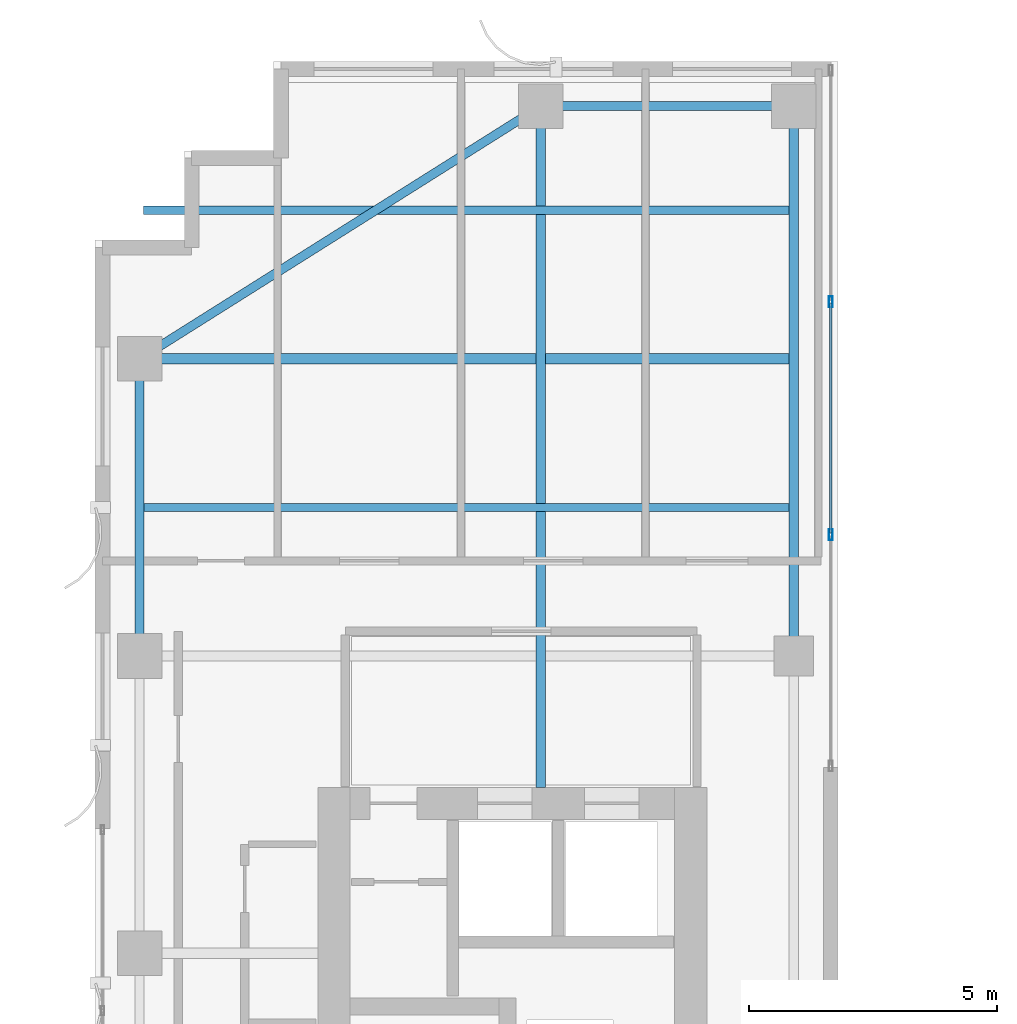
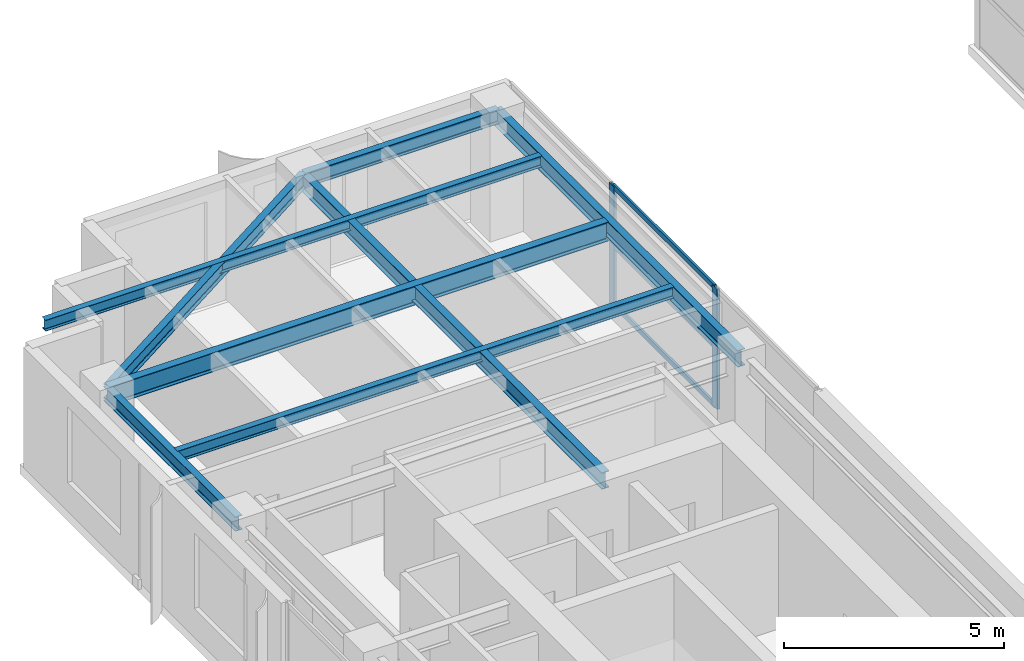
# One storey, part 13 of 22: 8 beams, 5 members, 1 element without a shape of its own.
"""IFC4 building model written with IfcOpenShell, lengths in metres."""

from ifc_helpers import new_model, si_unit, direction, frame, origin, origin_2d, place, context, subcontext, project, spatial, hollow_rectangle, i_section, extrude, source, transform, mapped, material, layer, layer_set, material_profile, profile_set, type_object, element, aggregate, save


model = new_model("IFC4")

# Units and contexts
model_context = context("Model", 3, precision=1e-05, world=origin(), true_north=direction((0.0, 1.0)))
body_context = subcontext(model_context, "Body", "Model", "MODEL_VIEW")
ifc_project = project(units=[si_unit("LENGTHUNIT", "METRE"), si_unit("AREAUNIT", "SQUARE_METRE"), si_unit("VOLUMEUNIT", "CUBIC_METRE"), si_unit("PLANEANGLEUNIT", "RADIAN"), si_unit("MASSUNIT", "GRAM", prefix="KILO")], contexts=[model_context])

# Site, building, storey
site_placement = place(None, origin())
site = spatial("IfcSite", under=ifc_project, at=site_placement, CompositionType="ELEMENT")
building_placement = place(site_placement, origin())
building = spatial("IfcBuilding", under=site, at=building_placement, Name="Khoralis Quay Care Tower", CompositionType="ELEMENT")
storey_placement = place(building_placement, frame((0.0, 0.0, 195.300048828125)))
storey = spatial("IfcBuildingStorey", under=building, at=storey_placement, Name="L51", CompositionType="ELEMENT", Elevation=195.300048828125)

# Beams
ifc_material_1 = material(Name="Steel S355", Category="steel")
ifc_material_profile_1 = material_profile(ifc_material_1, i_section(OverallWidth=0.179931640625, OverallDepth=0.39990234375, WebThickness=0.008544921875, FlangeThickness=0.013427734375, FilletRadius=0.02099609375, at=origin_2d()), Name="Steel S355")
ifc_profile_set_1 = profile_set([ifc_material_profile_1], Name="Steel S355")
beam_type_1 = type_object("IfcBeamType", Name="BM-IPE400", PredefinedType="SPANDREL", material=ifc_profile_set_1)
shared_shape_1 = source(origin(), body_context, "Body", "SweptSolid", [
    extrude(i_section(OverallWidth=0.179931640625, OverallDepth=0.39990234375, WebThickness=0.008544921875, FlangeThickness=0.013427734375, FilletRadius=0.02099609375, at=origin_2d()), origin(), (0.0, 0.0, 1.0), 6.0),
])
beam_1_placement = place(storey_placement, frame((3.89990234375, 30.0, 3.139892578125), z_axis=(0.0, 1.0, 0.0), x_axis=(-1.0, 0.0, 0.0)))
element("IfcBeam", 1, at=beam_1_placement, inside=storey, type_object=beam_type_1, Name="BM-TSP-L51-09", PredefinedType="SPANDREL", context=body_context, shape_type="MappedRepresentation", body=[
    mapped(shared_shape_1, transform((0.0, 0.0, 0.0), scale=1.0)),
])
shared_shape_2 = source(origin(), body_context, "Body", "SweptSolid", [
    extrude(i_section(OverallWidth=0.179931640625, OverallDepth=0.39990234375, WebThickness=0.008544921875, FlangeThickness=0.013427734375, FilletRadius=0.02099609375, at=origin_2d()), origin(), (0.0, 0.0, 1.0), 5.10009765625),
])
beam_2_placement = place(storey_placement, frame((12.0, 41.10009765625, 3.139892578125), z_axis=(1.0, 0.0, 0.0), x_axis=(0.0, 1.0, 0.0)))
element("IfcBeam", 2, at=beam_2_placement, inside=storey, type_object=beam_type_1, Name="BM-TSP-L51-03", PredefinedType="SPANDREL", context=body_context, shape_type="MappedRepresentation", body=[
    mapped(shared_shape_2, transform((0.0, 0.0, 0.0), scale=1.0)),
])
shared_shape_3 = source(origin(), body_context, "Body", "SweptSolid", [
    extrude(i_section(OverallWidth=0.179931640625, OverallDepth=0.39990234375, WebThickness=0.008544921875, FlangeThickness=0.013427734375, FilletRadius=0.02099609375, at=origin_2d()), origin(), (0.0, 0.0, 1.0), 9.572021484375),
])
beam_3_placement = place(storey_placement, frame((12.0, 41.10009765625, 3.139892578125), z_axis=(-0.846231136359, -0.532815975602, 0.0), x_axis=(0.532815975602, -0.846231136359, 0.0)))
element("IfcBeam", 3, at=beam_3_placement, inside=storey, type_object=beam_type_1, Name="BM-TCR-L51-17", PredefinedType="SPANDREL", context=body_context, shape_type="MappedRepresentation", body=[
    mapped(shared_shape_3, transform((0.0, 0.0, 0.0), scale=1.0)),
])
ifc_material_profile_2 = material_profile(ifc_material_1, i_section(OverallWidth=0.208984375, OverallDepth=0.532958984375, WebThickness=0.01025390625, FlangeThickness=0.015625, FilletRadius=0.01611328125, at=origin_2d()), Name="Steel S355")
ifc_profile_set_2 = profile_set([ifc_material_profile_2], Name="Steel S355")
beam_type_2 = type_object("IfcBeamType", Name="BM-W530X92", PredefinedType="BEAM", material=ifc_profile_set_2)
shared_shape_4 = source(origin(), body_context, "Body", "SweptSolid", [
    extrude(i_section(OverallWidth=0.208984375, OverallDepth=0.532958984375, WebThickness=0.01025390625, FlangeThickness=0.015625, FilletRadius=0.01611328125, at=origin_2d()), origin(), (0.0, 0.0, 1.0), 13.1162109375),
])
beam_4_placement = place(storey_placement, frame((3.89990234375, 36.0, 3.073486328125), z_axis=(1.0, 0.0, 0.0), x_axis=(0.0, 1.0, 0.0)))
element("IfcBeam", 4, at=beam_4_placement, inside=storey, type_object=beam_type_2, Name="BM-TGXW-L51-360", PredefinedType="BEAM", context=body_context, shape_type="MappedRepresentation", body=[
    mapped(shared_shape_4, transform((0.0, 0.0, 0.0), scale=1.0)),
])
ifc_material_profile_3 = material_profile(ifc_material_1, i_section(OverallWidth=0.19189453125, OverallDepth=0.462890625, WebThickness=0.010498046875, FlangeThickness=0.017578125, FilletRadius=0.014892578125, at=origin_2d()), Name="Steel S355")
ifc_profile_set_3 = profile_set([ifc_material_profile_3], Name="Steel S355")
beam_type_3 = type_object("IfcBeamType", Name="BM-W460X89", PredefinedType="BEAM", material=ifc_profile_set_3)
shared_shape_5 = source(origin(), body_context, "Body", "SweptSolid", [
    extrude(i_section(OverallWidth=0.19189453125, OverallDepth=0.462890625, WebThickness=0.010498046875, FlangeThickness=0.017578125, FilletRadius=0.014892578125, at=origin_2d()), origin(), (0.0, 0.0, 1.0), 11.10009765625),
])
beam_5_placement = place(storey_placement, frame((17.10009765625, 30.0, 3.1083984375), z_axis=(0.0, 1.0, 0.0), x_axis=(-1.0, 0.0, 0.0)))
element("IfcBeam", 5, at=beam_5_placement, inside=storey, type_object=beam_type_3, Name="BM-TGYN-L51-171", PredefinedType="BEAM", context=body_context, shape_type="MappedRepresentation", body=[
    mapped(shared_shape_5, transform((0.0, 0.0, 0.0), scale=1.0)),
])
shared_shape_6 = source(origin(), body_context, "Body", "SweptSolid", [
    extrude(i_section(OverallWidth=0.19189453125, OverallDepth=0.462890625, WebThickness=0.010498046875, FlangeThickness=0.017578125, FilletRadius=0.014892578125, at=origin_2d()), origin(), (0.0, 0.0, 1.0), 13.752197265625),
])
beam_6_placement = place(storey_placement, frame((12.0, 27.347900390625, 3.1083984375), z_axis=(0.0, 1.0, 0.0), x_axis=(-1.0, 0.0, 0.0)))
element("IfcBeam", 6, at=beam_6_placement, inside=storey, type_object=beam_type_3, Name="BM-TGYN-L51-120", PredefinedType="BEAM", context=body_context, shape_type="MappedRepresentation", body=[
    mapped(shared_shape_6, transform((0.0, 0.0, 0.0), scale=1.0)),
])
ifc_material_profile_4 = material_profile(ifc_material_1, i_section(OverallWidth=0.1650390625, OverallDepth=0.31005859375, WebThickness=0.005859375, FlangeThickness=0.009765625, FilletRadius=0.011962890625, at=origin_2d()), Name="Steel S355")
ifc_profile_set_4 = profile_set([ifc_material_profile_4], Name="Steel S355")
beam_type_4 = type_object("IfcBeamType", Name="BM-W310X39", PredefinedType="JOIST", material=ifc_profile_set_4)
shared_shape_7 = source(origin(), body_context, "Body", "SweptSolid", [
    extrude(i_section(OverallWidth=0.1650390625, OverallDepth=0.31005859375, WebThickness=0.005859375, FlangeThickness=0.009765625, FilletRadius=0.011962890625, at=origin_2d()), origin(), (0.0, 0.0, 1.0), 13.0400390625),
])
for number, where, z_axis, x_axis, name in (
    (7, (3.97607421875, 33.0, 3.18505859375), (1.0, 0.0, 0.0), (0.0, 1.0, 0.0), "BM-TJS-L51-21"),
    (8, (3.97607421875, 39.0, 3.18505859375), (1.0, 0.0, 0.0), (0.0, 1.0, 0.0), "BM-TJS-L51-23"),
):
    element("IfcBeam", number, at=place(storey_placement, frame(where, z_axis=z_axis, x_axis=x_axis)), inside=storey, type_object=beam_type_4, Name=name, PredefinedType="JOIST", context=body_context, shape_type="MappedRepresentation", body=[
        mapped(shared_shape_7, transform((0.0, 0.0, 0.0), scale=1.0)),
    ])

# Curtain wall, members
ifc_material_2 = material(Name="Pale anodised aluminium", Category="aluminium")
ifc_layer = layer(ifc_material_2, 0.18994140625)
ifc_layer_set = layer_set([ifc_layer], Name="Pale anodised aluminium")
curtain_wall_type = type_object("IfcCurtainWallType", Name="CW-SYS-PORTAL", PredefinedType="NOTDEFINED", material=ifc_layer_set)
curtain_wall_placement = place(storey_placement, origin())
curtain_wall = element("IfcCurtainWall", 9, at=curtain_wall_placement, inside=storey, type_object=curtain_wall_type, Name="L51 Unitised Curtain Wall CW-VP-L51-P1-N", PredefinedType="NOTDEFINED")
ifc_material_profile_5 = material_profile(ifc_material_2, hollow_rectangle(XDim=0.06005859375, YDim=0.139892578125, WallThickness=0.00390625, at=origin_2d()), Name="Pale anodised aluminium")
ifc_profile_set_5 = profile_set([ifc_material_profile_5], Name="Pale anodised aluminium")
member_type_1 = type_object("IfcMemberType", Name="CW-TRN-140", PredefinedType="USERDEFINED", material=ifc_profile_set_5)
shared_shape_8 = source(origin(), body_context, "Body", "SweptSolid", [
    extrude(hollow_rectangle(XDim=0.06005859375, YDim=0.139892578125, WallThickness=0.00390625, at=origin_2d()), origin(), (0.0, 0.0, 1.0), 4.64013671875),
])
member_1_placement = place(storey_placement, frame((17.85009765625, 32.47998046875, 0.030029296875), z_axis=(0.0, 1.0, 0.0), x_axis=(-1.0, 0.0, 0.0)))
member_1 = element("IfcMember", 10, at=member_1_placement, type_object=member_type_1, Name="CW4 transom 2.1", ObjectType="TRANSOM", PredefinedType="USERDEFINED", context=body_context, shape_type="MappedRepresentation", body=[
    mapped(shared_shape_8, transform((0.0, 0.0, 0.0), scale=1.0)),
])
member_2_placement = place(storey_placement, frame((17.85009765625, 32.47998046875, 1.669921875), z_axis=(0.0, 1.0, 0.0), x_axis=(-1.0, 0.0, 0.0)))
member_2 = element("IfcMember", 11, at=member_2_placement, type_object=member_type_1, Name="CW4 transom 2.2", ObjectType="TRANSOM", PredefinedType="USERDEFINED", context=body_context, shape_type="MappedRepresentation", body=[
    mapped(shared_shape_8, transform((0.0, 0.0, 0.0), scale=1.0)),
])
member_3_placement = place(storey_placement, frame((17.85009765625, 32.47998046875, 3.31005859375), z_axis=(0.0, 1.0, 0.0), x_axis=(-1.0, 0.0, 0.0)))
member_3 = element("IfcMember", 12, at=member_3_placement, type_object=member_type_1, Name="CW4 transom 2.3", ObjectType="TRANSOM", PredefinedType="USERDEFINED", context=body_context, shape_type="MappedRepresentation", body=[
    mapped(shared_shape_8, transform((0.0, 0.0, 0.0), scale=1.0)),
])
ifc_material_profile_6 = material_profile(ifc_material_2, hollow_rectangle(XDim=0.074951171875, YDim=0.219970703125, WallThickness=0.00390625, at=origin_2d()), Name="Pale anodised aluminium")
ifc_profile_set_6 = profile_set([ifc_material_profile_6], Name="Pale anodised aluminium")
member_type_2 = type_object("IfcMemberType", Name="CW-MUL-220", PredefinedType="MULLION", material=ifc_profile_set_6)
shared_shape_9 = source(origin(), body_context, "Body", "SweptSolid", [
    extrude(hollow_rectangle(XDim=0.074951171875, YDim=0.219970703125, WallThickness=0.00390625, at=origin_2d()), origin(), (0.0, 0.0, 1.0), 3.33984375),
])
member_4_placement = place(storey_placement, frame((17.85009765625, 32.449951171875, 0.0), z_axis=(0.0, 0.0, 1.0), x_axis=(-1.0, 0.0, 0.0)))
member_4 = element("IfcMember", 13, at=member_4_placement, type_object=member_type_2, Name="CW4 mullion 2", PredefinedType="MULLION", context=body_context, shape_type="MappedRepresentation", body=[
    mapped(shared_shape_9, transform((0.0, 0.0, 0.0), scale=1.0)),
])
member_5_placement = place(storey_placement, frame((17.85009765625, 37.14990234375, 0.0), z_axis=(0.0, 0.0, 1.0), x_axis=(-1.0, 0.0, 0.0)))
member_5 = element("IfcMember", 14, at=member_5_placement, type_object=member_type_2, Name="CW4 mullion 3", PredefinedType="MULLION", context=body_context, shape_type="MappedRepresentation", body=[
    mapped(shared_shape_9, transform((0.0, 0.0, 0.0), scale=1.0)),
])
aggregate(curtain_wall, [member_4, member_5, member_1, member_2, member_3])

save(model, "model.ifc")
